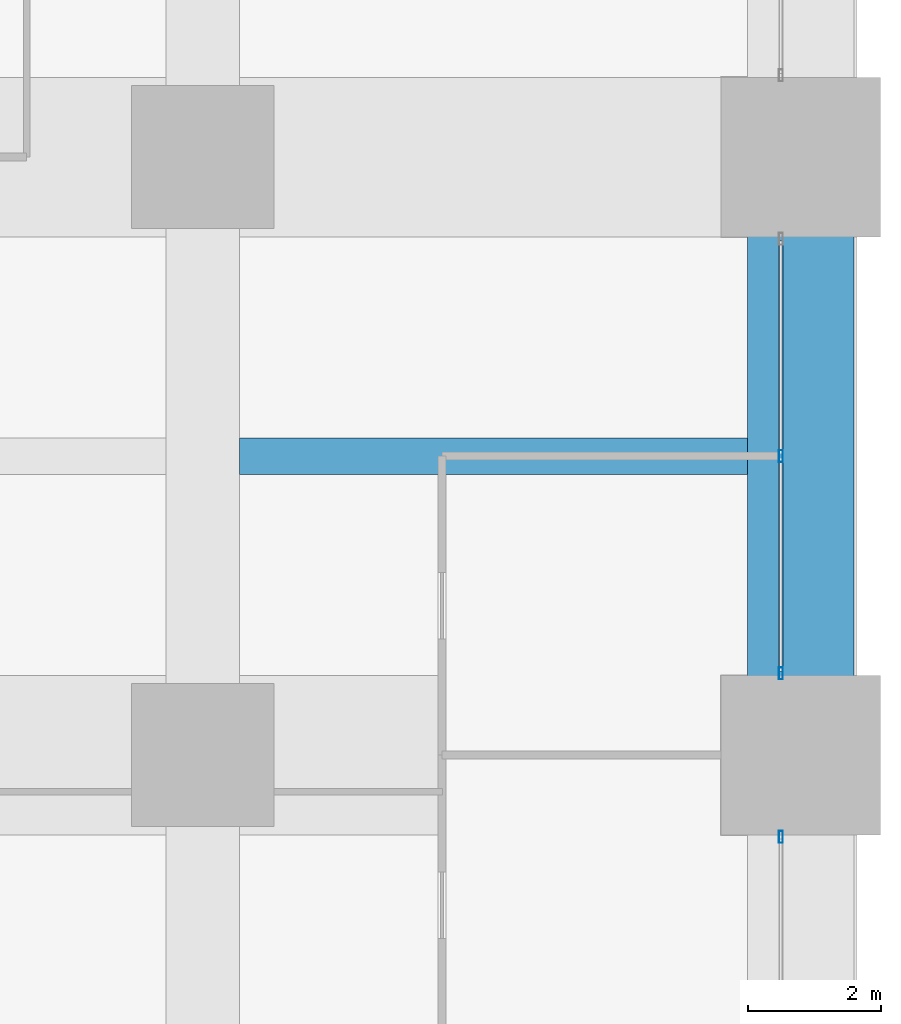
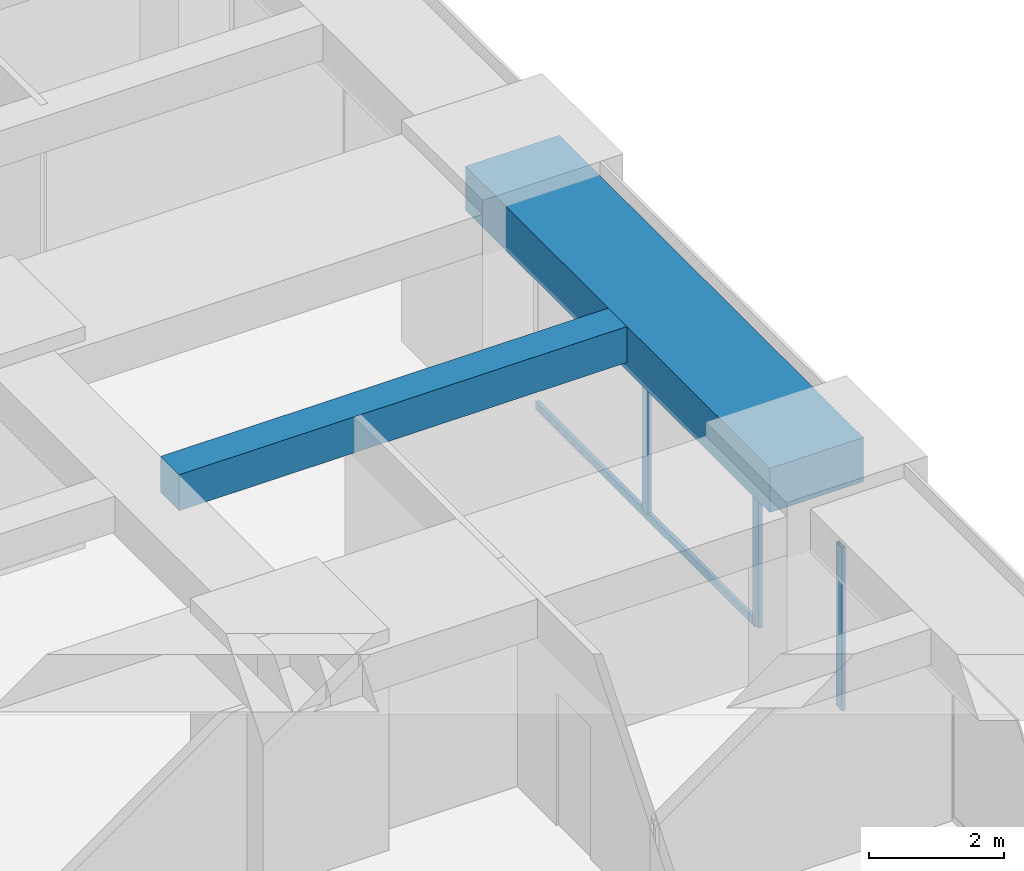
# One storey, part 20 of 45: 4 members, 2 beams, 2 elements without a shape of their own.
"""IFC4 building model written with IfcOpenShell, lengths in metres."""

from ifc_helpers import new_model, si_unit, direction, frame, origin, origin_2d, place, context, subcontext, project, spatial, rectangle, hollow_rectangle, extrude, material, material_profile, profile_set, type_object, element, aggregate, save


model = new_model("IFC4")

# Units and contexts
model_context = context("Model", 3, precision=1e-05, world=origin(), true_north=direction((0.0, 1.0)))
body_context = subcontext(model_context, "Body", "Model", "MODEL_VIEW")
ifc_project = project(units=[si_unit("LENGTHUNIT", "METRE"), si_unit("AREAUNIT", "SQUARE_METRE"), si_unit("VOLUMEUNIT", "CUBIC_METRE"), si_unit("PLANEANGLEUNIT", "RADIAN"), si_unit("MASSUNIT", "GRAM", prefix="KILO")], contexts=[model_context])

# Site, building, storey
site_placement = place(None, origin())
site = spatial("IfcSite", under=ifc_project, at=site_placement, CompositionType="ELEMENT")
building_placement = place(site_placement, origin())
building = spatial("IfcBuilding", under=site, at=building_placement, Name="Zorevar Civic Tower", CompositionType="ELEMENT")
storey_placement = place(building_placement, frame((0.0, 0.0, 71.800048828125)))
storey = spatial("IfcBuildingStorey", under=building, at=storey_placement, Name="L17", CompositionType="ELEMENT", Elevation=71.800048828125)

# Beam
ifc_material_1 = material(Name="Concrete C50/60", Category="concrete")
ifc_material_profile_1 = material_profile(ifc_material_1, rectangle(XDim=0.550048828125, YDim=0.64990234375, at=origin_2d()), Name="RC 550x650")
ifc_profile_set_1 = profile_set([ifc_material_profile_1], Name="Concrete C50/60")
beam_type_1 = type_object("IfcBeamType", Name="Beam RC 550x650", PredefinedType="BEAM", material=ifc_profile_set_1)
beam_1_placement = place(storey_placement, frame((54.550048828125, 22.5, 3.425048828125), z_axis=(1.0, 0.0, 0.0), x_axis=(0.0, 1.0, 0.0)))
element("IfcBeam", 1, at=beam_1_placement, inside=storey, type_object=beam_type_1, Name="Secondary beam L18", PredefinedType="BEAM", context=body_context, shape_type="SweptSolid", body=[
    extrude(rectangle(XDim=0.550048828125, YDim=0.64990234375, at=origin_2d()), origin(), (0.0, 0.0, 1.0), 7.64990234375),
])

# Curtain wall, member
ifc_material_2 = material(Name="Dark grey solar-control glass in black aluminium frame", Category="aluminium")
curtain_wall_type = type_object("IfcCurtainWallType", Name="Curtain wall CW2 low zone", PredefinedType="NOTDEFINED", material=ifc_material_2)
curtain_wall_1_placement = place(storey_placement, origin())
curtain_wall_1 = element("IfcCurtainWall", 2, at=curtain_wall_1_placement, inside=storey, type_object=curtain_wall_type, Name="CW2 L17", PredefinedType="NOTDEFINED")
ifc_material_3 = material(Name="Aluminium, black anodised", Category="aluminium")
ifc_material_profile_2 = material_profile(ifc_material_3, hollow_rectangle(XDim=0.06005859375, YDim=0.179931640625, WallThickness=0.00390625, at=origin_2d()), Name="AL 180x60x4")
ifc_profile_set_2 = profile_set([ifc_material_profile_2], Name="Aluminium, black anodised")
member_type_1 = type_object("IfcMemberType", Name="CW2 mullion AL 180x60x4", PredefinedType="MULLION", material=ifc_profile_set_2)
member_1_placement = place(storey_placement, frame((62.699951171875, 16.77001953125, 0.0), z_axis=(0.0, 0.0, 1.0), x_axis=(-1.0, 0.0, 0.0)))
member_1 = element("IfcMember", 3, at=member_1_placement, type_object=member_type_1, Name="CW2 mullion 3", PredefinedType="MULLION", context=body_context, shape_type="SweptSolid", body=[
    extrude(hollow_rectangle(XDim=0.06005859375, YDim=0.179931640625, WallThickness=0.00390625, at=origin_2d()), origin(), (0.0, 0.0, 1.0), 2.949951171875),
])
aggregate(curtain_wall_1, [member_1])

# Curtain wall, members
curtain_wall_2_placement = place(storey_placement, origin())
curtain_wall_2 = element("IfcCurtainWall", 4, at=curtain_wall_2_placement, inside=storey, type_object=curtain_wall_type, Name="CW2 L17", PredefinedType="NOTDEFINED")
member_2_placement = place(storey_placement, frame((62.699951171875, 19.22998046875, 0.0), z_axis=(0.0, 0.0, 1.0), x_axis=(-1.0, 0.0, 0.0)))
member_2 = element("IfcMember", 5, at=member_2_placement, type_object=member_type_1, Name="CW2 mullion 1", PredefinedType="MULLION", context=body_context, shape_type="SweptSolid", body=[
    extrude(hollow_rectangle(XDim=0.06005859375, YDim=0.179931640625, WallThickness=0.00390625, at=origin_2d()), origin(), (0.0, 0.0, 1.0), 2.949951171875),
])
member_3_placement = place(storey_placement, frame((62.699951171875, 22.5, 0.06005859375), z_axis=(0.0, 0.0, 1.0), x_axis=(-1.0, 0.0, 0.0)))
member_3 = element("IfcMember", 6, at=member_3_placement, type_object=member_type_1, Name="CW2 mullion 2", PredefinedType="MULLION", context=body_context, shape_type="SweptSolid", body=[
    extrude(hollow_rectangle(XDim=0.06005859375, YDim=0.179931640625, WallThickness=0.00390625, at=origin_2d()), origin(), (0.0, 0.0, 1.0), 2.889892578125),
])
ifc_material_4 = material(Name="Aluminium, black anodised", Category="aluminium")
ifc_material_profile_3 = material_profile(ifc_material_4, hollow_rectangle(XDim=0.06005859375, YDim=0.14990234375, WallThickness=0.00390625, at=origin_2d()), Name="AL 150x60x4")
ifc_profile_set_3 = profile_set([ifc_material_profile_3], Name="Aluminium, black anodised")
member_type_2 = type_object("IfcMemberType", Name="CW2 transom AL 150x60x4", PredefinedType="USERDEFINED", material=ifc_profile_set_3)
member_4_placement = place(storey_placement, frame((62.699951171875, 19.260009765625, 0.030029296875), z_axis=(0.0, 1.0, 0.0), x_axis=(-1.0, 0.0, 0.0)))
member_4 = element("IfcMember", 7, at=member_4_placement, type_object=member_type_2, Name="CW2 sill transom", ObjectType="TRANSOM", PredefinedType="USERDEFINED", context=body_context, shape_type="SweptSolid", body=[
    extrude(hollow_rectangle(XDim=0.06005859375, YDim=0.14990234375, WallThickness=0.00390625, at=origin_2d()), origin(), (0.0, 0.0, 1.0), 6.47998046875),
])
aggregate(curtain_wall_2, [member_2, member_3, member_4])

# Beam
ifc_material_5 = material(Name="Concrete C50/60", Category="concrete")
ifc_material_profile_4 = material_profile(ifc_material_5, rectangle(XDim=1.60009765625, YDim=0.800048828125, at=origin_2d()), Name="RC 1600x800")
ifc_profile_set_4 = profile_set([ifc_material_profile_4], Name="Concrete C50/60")
beam_type_2 = type_object("IfcBeamType", Name="Edge beam RC 1600x800", PredefinedType="SPANDREL", material=ifc_profile_set_4)
beam_2_placement = place(storey_placement, frame((63.0, 18.0, 3.349853515625), z_axis=(0.0, 1.0, 0.0), x_axis=(-1.0, 0.0, 0.0)))
element("IfcBeam", 8, at=beam_2_placement, inside=storey, type_object=beam_type_2, Name="Edge beam L18", PredefinedType="SPANDREL", context=body_context, shape_type="SweptSolid", body=[
    extrude(rectangle(XDim=1.60009765625, YDim=0.800048828125, at=origin_2d()), origin(), (0.0, 0.0, 1.0), 9.0),
])

save(model, "model.ifc")
